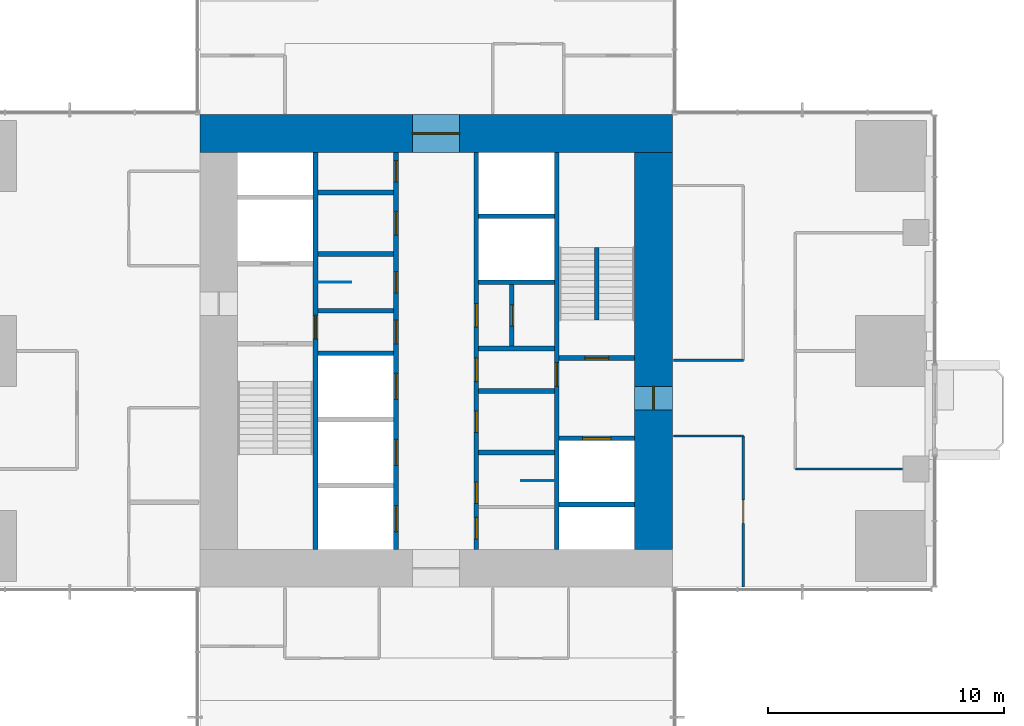
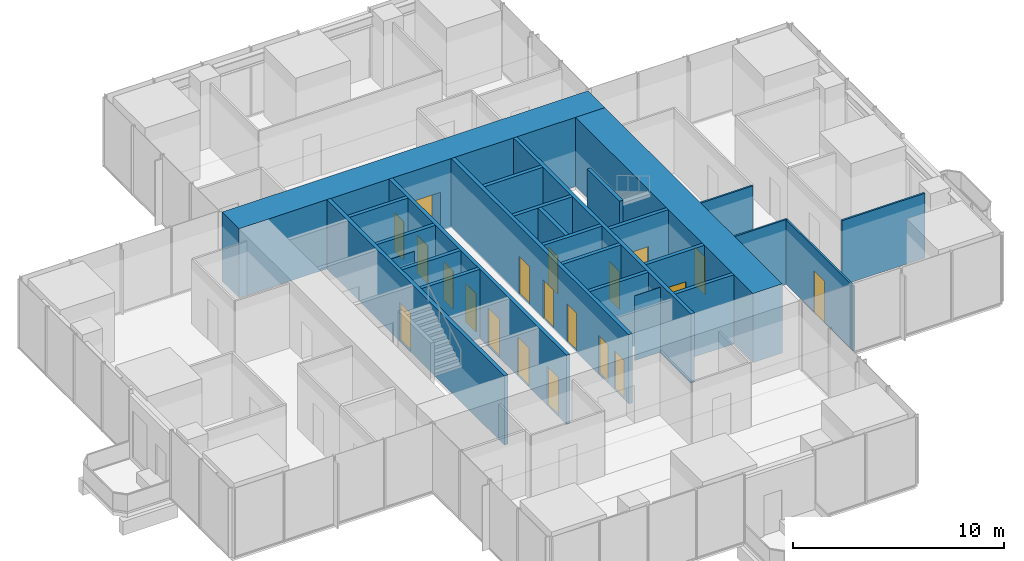
# One storey, part 9 of 13: 26 walls, 20 doors, 20 openings.
"""IFC4 building model written with IfcOpenShell, lengths in metres."""

from ifc_helpers import new_model, si_unit, direction, frame, frame_2d, origin, place, context, subcontext, project, spatial, rectangle, extrude, material, layer, layer_set, type_object, element, fill, save


model = new_model("IFC4")

# Units and contexts
model_context = context("Model", 3, precision=1e-05, world=origin(), true_north=direction((0.0, 1.0)))
body_context = subcontext(model_context, "Body", "Model", "MODEL_VIEW")
ifc_project = project(units=[si_unit("LENGTHUNIT", "METRE"), si_unit("AREAUNIT", "SQUARE_METRE"), si_unit("VOLUMEUNIT", "CUBIC_METRE"), si_unit("PLANEANGLEUNIT", "RADIAN"), si_unit("MASSUNIT", "GRAM", prefix="KILO")], contexts=[model_context])

# Site, building, storey
site_placement = place(None, origin())
site = spatial("IfcSite", under=ifc_project, at=site_placement, CompositionType="ELEMENT")
building_placement = place(site_placement, origin())
building = spatial("IfcBuilding", under=site, at=building_placement, Name="Svetlomir Tower", CompositionType="ELEMENT")
storey_placement = place(building_placement, frame((0.0, 0.0, 136.5)))
storey = spatial("IfcBuildingStorey", under=building, at=storey_placement, Name="L32", CompositionType="ELEMENT", Elevation=136.5)

# Wall, opening, door
ifc_material_1 = material(Name="Concrete C60/75", Category="concrete")
ifc_layer_1 = layer(ifc_material_1, 0.199951171875)
ifc_layer_set_1 = layer_set([ifc_layer_1], Name="Concrete C60/75")
wall_type_1 = type_object("IfcWallType", Name="CORE INNER WALL 200", PredefinedType="SHEAR", material=ifc_layer_set_1)
wall_1_placement = place(storey_placement, frame((15.89990234375, 12.60009765625, -0.050048828125), z_axis=(0.0, 0.0, 1.0), x_axis=(0.0, 1.0, 0.0)))
wall_1 = element("IfcWall", 1, at=wall_1_placement, inside=storey, type_object=wall_type_1, Name="Core inner wall 15.9 L32", PredefinedType="SHEAR", context=body_context, shape_type="SweptSolid", body=[
    extrude(rectangle(XDim=16.7998046875, YDim=0.199951171875, at=frame_2d((8.39990234375, 0.0))), origin(), (0.0, 0.0, 1.0), 4.0),
])
opening_1_placement = place(wall_1_placement, frame((8.89990234375, 0.0, 0.050048828125)))
opening_1 = element("IfcOpeningElement", 2, at=opening_1_placement, cuts=wall_1, Name="Opening DF", PredefinedType="OPENING", context=body_context, shape_type="SweptSolid", body=[
    extrude(rectangle(XDim=1.0, YDim=2.199951171875, at=frame_2d((0.5, 1.10009765625))), frame((0.0, 0.10986328125, 0.0), z_axis=(0.0, -1.0, 0.0), x_axis=(1.0, 0.0, 0.0)), (0.0, 0.0, 1.0), 0.219970703125),
])
ifc_material_2 = material(Name="Steel fire door", Category="steel")
door_type_1 = type_object("IfcDoorType", Name="DOOR DF 1000x2200", OperationType="SINGLE_SWING_LEFT", PredefinedType="DOOR", material=ifc_material_2)
door_1_placement = place(opening_1_placement, origin())
door_1 = element("IfcDoor", 3, at=door_1_placement, inside=storey, type_object=door_type_1, Name="Core corridor west door L32", OperationType="SINGLE_SWING_LEFT", OverallHeight=2.199951171875, OverallWidth=1.0, PredefinedType="DOOR", context=body_context, shape_type="SweptSolid", body=[
    extrude(rectangle(XDim=1.0, YDim=2.199951171875, at=frame_2d((0.5, 1.10009765625))), frame((0.0, 0.02490234375, 0.0), z_axis=(0.0, -1.0, 0.0), x_axis=(1.0, 0.0, 0.0)), (0.0, 0.0, 1.0), 0.050048828125),
])
fill(opening_1, door_1)

# Wall, openings, doors
wall_2_placement = place(storey_placement, frame((19.300048828125, 12.60009765625, -0.050048828125), z_axis=(0.0, 0.0, 1.0), x_axis=(0.0, 1.0, 0.0)))
wall_2 = element("IfcWall", 4, at=wall_2_placement, inside=storey, type_object=wall_type_1, Name="Core inner wall 19.3 L32", PredefinedType="SHEAR", context=body_context, shape_type="SweptSolid", body=[
    extrude(rectangle(XDim=16.7998046875, YDim=0.199951171875, at=frame_2d((8.39990234375, 0.0))), origin(), (0.0, 0.0, 1.0), 4.0),
])
opening_2_placement = place(wall_2_placement, frame((8.699951171875, 0.0, 0.050048828125)))
opening_2 = element("IfcOpeningElement", 5, at=opening_2_placement, cuts=wall_2, Name="Opening DC", PredefinedType="OPENING", context=body_context, shape_type="SweptSolid", body=[
    extrude(rectangle(XDim=1.0, YDim=2.199951171875, at=frame_2d((0.5, 1.10009765625))), frame((0.0, 0.10986328125, 0.0), z_axis=(0.0, -1.0, 0.0), x_axis=(1.0, 0.0, 0.0)), (0.0, 0.0, 1.0), 0.219970703125),
])
opening_3_placement = place(wall_2_placement, frame((10.85009765625, 0.0, 0.050048828125)))
opening_3 = element("IfcOpeningElement", 6, at=opening_3_placement, cuts=wall_2, Name="Opening DW", PredefinedType="OPENING", context=body_context, shape_type="SweptSolid", body=[
    extrude(rectangle(XDim=0.89990234375, YDim=2.199951171875, at=frame_2d((0.449951171875, 1.10009765625))), frame((0.0, 0.10986328125, 0.0), z_axis=(0.0, -1.0, 0.0), x_axis=(1.0, 0.0, 0.0)), (0.0, 0.0, 1.0), 0.219970703125),
])
opening_4_placement = place(wall_2_placement, frame((13.300048828125, 0.0, 0.050048828125)))
opening_4 = element("IfcOpeningElement", 7, at=opening_4_placement, cuts=wall_2, Name="Opening DC", PredefinedType="OPENING", context=body_context, shape_type="SweptSolid", body=[
    extrude(rectangle(XDim=1.0, YDim=2.199951171875, at=frame_2d((0.5, 1.10009765625))), frame((0.0, 0.10986328125, 0.0), z_axis=(0.0, -1.0, 0.0), x_axis=(1.0, 0.0, 0.0)), (0.0, 0.0, 1.0), 0.219970703125),
])
opening_5_placement = place(wall_2_placement, frame((15.550048828125, 0.0, 0.050048828125)))
opening_5 = element("IfcOpeningElement", 8, at=opening_5_placement, cuts=wall_2, Name="Opening DW", PredefinedType="OPENING", context=body_context, shape_type="SweptSolid", body=[
    extrude(rectangle(XDim=0.89990234375, YDim=2.199951171875, at=frame_2d((0.449951171875, 1.10009765625))), frame((0.0, 0.10986328125, 0.0), z_axis=(0.0, -1.0, 0.0), x_axis=(1.0, 0.0, 0.0)), (0.0, 0.0, 1.0), 0.219970703125),
])
opening_6_placement = place(wall_2_placement, frame((0.75, 0.0, 0.050048828125)))
opening_6 = element("IfcOpeningElement", 9, at=opening_6_placement, cuts=wall_2, Name="Opening LD", PredefinedType="OPENING", context=body_context, shape_type="SweptSolid", body=[
    extrude(rectangle(XDim=1.10009765625, YDim=2.199951171875, at=frame_2d((0.550048828125, 1.10009765625))), frame((0.0, 0.10986328125, 0.0), z_axis=(0.0, -1.0, 0.0), x_axis=(1.0, 0.0, 0.0)), (0.0, 0.0, 1.0), 0.219970703125),
])
opening_7_placement = place(wall_2_placement, frame((3.550048828125, 0.0, 0.050048828125)))
opening_7 = element("IfcOpeningElement", 10, at=opening_7_placement, cuts=wall_2, Name="Opening LD", PredefinedType="OPENING", context=body_context, shape_type="SweptSolid", body=[
    extrude(rectangle(XDim=1.10009765625, YDim=2.199951171875, at=frame_2d((0.550048828125, 1.10009765625))), frame((0.0, 0.10986328125, 0.0), z_axis=(0.0, -1.0, 0.0), x_axis=(1.0, 0.0, 0.0)), (0.0, 0.0, 1.0), 0.219970703125),
])
opening_8_placement = place(wall_2_placement, frame((6.35009765625, 0.0, 0.050048828125)))
opening_8 = element("IfcOpeningElement", 11, at=opening_8_placement, cuts=wall_2, Name="Opening LD", PredefinedType="OPENING", context=body_context, shape_type="SweptSolid", body=[
    extrude(rectangle(XDim=1.10009765625, YDim=2.199951171875, at=frame_2d((0.550048828125, 1.10009765625))), frame((0.0, 0.10986328125, 0.0), z_axis=(0.0, -1.0, 0.0), x_axis=(1.0, 0.0, 0.0)), (0.0, 0.0, 1.0), 0.219970703125),
])
ifc_material_3 = material(Name="Timber fire door", Category="wood")
door_type_2 = type_object("IfcDoorType", Name="DOOR DC 1000x2200", OperationType="SINGLE_SWING_LEFT", PredefinedType="DOOR", material=ifc_material_3)
door_2_placement = place(opening_2_placement, origin())
door_2 = element("IfcDoor", 12, at=door_2_placement, inside=storey, type_object=door_type_2, Name="Core corridor west lobby door L32", OperationType="SINGLE_SWING_RIGHT", OverallHeight=2.199951171875, OverallWidth=1.0, PredefinedType="DOOR", context=body_context, shape_type="SweptSolid", body=[
    extrude(rectangle(XDim=1.0, YDim=2.199951171875, at=frame_2d((0.5, 1.10009765625))), frame((0.0, 0.02490234375, 0.0), z_axis=(0.0, -1.0, 0.0), x_axis=(1.0, 0.0, 0.0)), (0.0, 0.0, 1.0), 0.050048828125),
])
fill(opening_2, door_2)
door_3_placement = place(opening_4_placement, origin())
door_3 = element("IfcDoor", 13, at=door_3_placement, inside=storey, type_object=door_type_2, Name="Accessible WC door L32", OperationType="SINGLE_SWING_LEFT", OverallHeight=2.199951171875, OverallWidth=1.0, PredefinedType="DOOR", context=body_context, shape_type="SweptSolid", body=[
    extrude(rectangle(XDim=1.0, YDim=2.199951171875, at=frame_2d((0.5, 1.10009765625))), frame((0.0, 0.02490234375, 0.0), z_axis=(0.0, -1.0, 0.0), x_axis=(1.0, 0.0, 0.0)), (0.0, 0.0, 1.0), 0.050048828125),
])
fill(opening_4, door_3)
ifc_material_4 = material(Name="Timber fire door", Category="wood")
door_type_3 = type_object("IfcDoorType", Name="DOOR DW 900x2200", OperationType="SINGLE_SWING_LEFT", PredefinedType="DOOR", material=ifc_material_4)
door_4_placement = place(opening_3_placement, origin())
door_4 = element("IfcDoor", 14, at=door_4_placement, inside=storey, type_object=door_type_3, Name="Female WC door L32", OperationType="SINGLE_SWING_RIGHT", OverallHeight=2.199951171875, OverallWidth=0.89990234375, PredefinedType="DOOR", context=body_context, shape_type="SweptSolid", body=[
    extrude(rectangle(XDim=0.89990234375, YDim=2.199951171875, at=frame_2d((0.449951171875, 1.10009765625))), frame((0.0, 0.02490234375, 0.0), z_axis=(0.0, -1.0, 0.0), x_axis=(1.0, 0.0, 0.0)), (0.0, 0.0, 1.0), 0.050048828125),
])
fill(opening_3, door_4)
door_5_placement = place(opening_5_placement, origin())
door_5 = element("IfcDoor", 15, at=door_5_placement, inside=storey, type_object=door_type_3, Name="Cleaner's store door L32", OperationType="SINGLE_SWING_RIGHT", OverallHeight=2.199951171875, OverallWidth=0.89990234375, PredefinedType="DOOR", context=body_context, shape_type="SweptSolid", body=[
    extrude(rectangle(XDim=0.89990234375, YDim=2.199951171875, at=frame_2d((0.449951171875, 1.10009765625))), frame((0.0, 0.02490234375, 0.0), z_axis=(0.0, -1.0, 0.0), x_axis=(1.0, 0.0, 0.0)), (0.0, 0.0, 1.0), 0.050048828125),
])
fill(opening_5, door_5)
ifc_material_5 = material(Name="Stainless steel landing door", Category="steel")
door_type_4 = type_object("IfcDoorType", Name="LIFT LANDING DOOR LD 1100x2200", OperationType="DOUBLE_DOOR_SLIDING", PredefinedType="DOOR", material=ifc_material_5)
door_6_placement = place(opening_6_placement, origin())
door_6 = element("IfcDoor", 16, at=door_6_placement, inside=storey, type_object=door_type_4, Name="Landing door lift LB1 L32", OperationType="DOUBLE_DOOR_SLIDING", OverallHeight=2.199951171875, OverallWidth=1.10009765625, PredefinedType="DOOR", context=body_context, shape_type="SweptSolid", body=[
    extrude(rectangle(XDim=1.10009765625, YDim=2.199951171875, at=frame_2d((0.550048828125, 1.10009765625))), frame((0.0, 0.02490234375, 0.0), z_axis=(0.0, -1.0, 0.0), x_axis=(1.0, 0.0, 0.0)), (0.0, 0.0, 1.0), 0.050048828125),
])
fill(opening_6, door_6)
door_7_placement = place(opening_7_placement, origin())
door_7 = element("IfcDoor", 17, at=door_7_placement, inside=storey, type_object=door_type_4, Name="Landing door lift LB2 L32", OperationType="DOUBLE_DOOR_SLIDING", OverallHeight=2.199951171875, OverallWidth=1.10009765625, PredefinedType="DOOR", context=body_context, shape_type="SweptSolid", body=[
    extrude(rectangle(XDim=1.10009765625, YDim=2.199951171875, at=frame_2d((0.550048828125, 1.10009765625))), frame((0.0, 0.02490234375, 0.0), z_axis=(0.0, -1.0, 0.0), x_axis=(1.0, 0.0, 0.0)), (0.0, 0.0, 1.0), 0.050048828125),
])
fill(opening_7, door_7)
door_8_placement = place(opening_8_placement, origin())
door_8 = element("IfcDoor", 18, at=door_8_placement, inside=storey, type_object=door_type_4, Name="Landing door lift LB3 L32", OperationType="DOUBLE_DOOR_SLIDING", OverallHeight=2.199951171875, OverallWidth=1.10009765625, PredefinedType="DOOR", context=body_context, shape_type="SweptSolid", body=[
    extrude(rectangle(XDim=1.10009765625, YDim=2.199951171875, at=frame_2d((0.550048828125, 1.10009765625))), frame((0.0, 0.02490234375, 0.0), z_axis=(0.0, -1.0, 0.0), x_axis=(1.0, 0.0, 0.0)), (0.0, 0.0, 1.0), 0.050048828125),
])
fill(opening_8, door_8)

wall_3_placement = place(storey_placement, frame((22.699951171875, 12.60009765625, -0.050048828125), z_axis=(0.0, 0.0, 1.0), x_axis=(0.0, 1.0, 0.0)))
wall_3 = element("IfcWall", 19, at=wall_3_placement, inside=storey, type_object=wall_type_1, Name="Core inner wall 22.7 L32", PredefinedType="SHEAR", context=body_context, shape_type="SweptSolid", body=[
    extrude(rectangle(XDim=16.7998046875, YDim=0.199951171875, at=frame_2d((8.39990234375, 0.0))), origin(), (0.0, 0.0, 1.0), 4.0),
])
opening_9_placement = place(wall_3_placement, frame((0.449951171875, 0.0, 0.050048828125)))
opening_9 = element("IfcOpeningElement", 20, at=opening_9_placement, cuts=wall_3, Name="Opening DW", PredefinedType="OPENING", context=body_context, shape_type="SweptSolid", body=[
    extrude(rectangle(XDim=0.89990234375, YDim=2.199951171875, at=frame_2d((0.449951171875, 1.10009765625))), frame((0.0, 0.10986328125, 0.0), z_axis=(0.0, -1.0, 0.0), x_axis=(1.0, 0.0, 0.0)), (0.0, 0.0, 1.0), 0.219970703125),
])
opening_10_placement = place(wall_3_placement, frame((7.10009765625, 0.0, 0.050048828125)))
opening_10 = element("IfcOpeningElement", 21, at=opening_10_placement, cuts=wall_3, Name="Opening DC", PredefinedType="OPENING", context=body_context, shape_type="SweptSolid", body=[
    extrude(rectangle(XDim=1.0, YDim=2.199951171875, at=frame_2d((0.5, 1.10009765625))), frame((0.0, 0.10986328125, 0.0), z_axis=(0.0, -1.0, 0.0), x_axis=(1.0, 0.0, 0.0)), (0.0, 0.0, 1.0), 0.219970703125),
])
opening_11_placement = place(wall_3_placement, frame((1.949951171875, 0.0, 0.050048828125)))
opening_11 = element("IfcOpeningElement", 22, at=opening_11_placement, cuts=wall_3, Name="Opening DW", PredefinedType="OPENING", context=body_context, shape_type="SweptSolid", body=[
    extrude(rectangle(XDim=0.89990234375, YDim=2.199951171875, at=frame_2d((0.449951171875, 1.10009765625))), frame((0.0, 0.10986328125, 0.0), z_axis=(0.0, -1.0, 0.0), x_axis=(1.0, 0.0, 0.0)), (0.0, 0.0, 1.0), 0.219970703125),
])
opening_12_placement = place(wall_3_placement, frame((4.949951171875, 0.0, 0.050048828125)))
opening_12 = element("IfcOpeningElement", 23, at=opening_12_placement, cuts=wall_3, Name="Opening DW", PredefinedType="OPENING", context=body_context, shape_type="SweptSolid", body=[
    extrude(rectangle(XDim=0.89990234375, YDim=2.199951171875, at=frame_2d((0.449951171875, 1.10009765625))), frame((0.0, 0.10986328125, 0.0), z_axis=(0.0, -1.0, 0.0), x_axis=(1.0, 0.0, 0.0)), (0.0, 0.0, 1.0), 0.219970703125),
])
opening_13_placement = place(wall_3_placement, frame((9.39990234375, 0.0, 0.050048828125)))
opening_13 = element("IfcOpeningElement", 24, at=opening_13_placement, cuts=wall_3, Name="Opening DC", PredefinedType="OPENING", context=body_context, shape_type="SweptSolid", body=[
    extrude(rectangle(XDim=1.0, YDim=2.199951171875, at=frame_2d((0.5, 1.10009765625))), frame((0.0, 0.10986328125, 0.0), z_axis=(0.0, -1.0, 0.0), x_axis=(1.0, 0.0, 0.0)), (0.0, 0.0, 1.0), 0.219970703125),
])
door_9_placement = place(opening_10_placement, origin())
door_9 = element("IfcDoor", 25, at=door_9_placement, inside=storey, type_object=door_type_2, Name="Core corridor east lobby door L32", OperationType="SINGLE_SWING_LEFT", OverallHeight=2.199951171875, OverallWidth=1.0, PredefinedType="DOOR", context=body_context, shape_type="SweptSolid", body=[
    extrude(rectangle(XDim=1.0, YDim=2.199951171875, at=frame_2d((0.5, 1.10009765625))), frame((0.0, 0.02490234375, 0.0), z_axis=(0.0, -1.0, 0.0), x_axis=(1.0, 0.0, 0.0)), (0.0, 0.0, 1.0), 0.050048828125),
])
fill(opening_10, door_9)
door_10_placement = place(opening_13_placement, origin())
door_10 = element("IfcDoor", 26, at=door_10_placement, inside=storey, type_object=door_type_2, Name="Converted shaft BANK-E1 room door L32", OperationType="SINGLE_SWING_LEFT", OverallHeight=2.199951171875, OverallWidth=1.0, PredefinedType="DOOR", context=body_context, shape_type="SweptSolid", body=[
    extrude(rectangle(XDim=1.0, YDim=2.199951171875, at=frame_2d((0.5, 1.10009765625))), frame((0.0, 0.02490234375, 0.0), z_axis=(0.0, -1.0, 0.0), x_axis=(1.0, 0.0, 0.0)), (0.0, 0.0, 1.0), 0.050048828125),
])
fill(opening_13, door_10)
door_11_placement = place(opening_9_placement, origin())
door_11 = element("IfcDoor", 27, at=door_11_placement, inside=storey, type_object=door_type_3, Name="Floor store door L32", OperationType="SINGLE_SWING_LEFT", OverallHeight=2.199951171875, OverallWidth=0.89990234375, PredefinedType="DOOR", context=body_context, shape_type="SweptSolid", body=[
    extrude(rectangle(XDim=0.89990234375, YDim=2.199951171875, at=frame_2d((0.449951171875, 1.10009765625))), frame((0.0, 0.02490234375, 0.0), z_axis=(0.0, -1.0, 0.0), x_axis=(1.0, 0.0, 0.0)), (0.0, 0.0, 1.0), 0.050048828125),
])
fill(opening_9, door_11)
door_12_placement = place(opening_11_placement, origin())
door_12 = element("IfcDoor", 28, at=door_12_placement, inside=storey, type_object=door_type_3, Name="Male WC door L32", OperationType="SINGLE_SWING_LEFT", OverallHeight=2.199951171875, OverallWidth=0.89990234375, PredefinedType="DOOR", context=body_context, shape_type="SweptSolid", body=[
    extrude(rectangle(XDim=0.89990234375, YDim=2.199951171875, at=frame_2d((0.449951171875, 1.10009765625))), frame((0.0, 0.02490234375, 0.0), z_axis=(0.0, -1.0, 0.0), x_axis=(1.0, 0.0, 0.0)), (0.0, 0.0, 1.0), 0.050048828125),
])
fill(opening_11, door_12)
door_13_placement = place(opening_12_placement, origin())
door_13 = element("IfcDoor", 29, at=door_13_placement, inside=storey, type_object=door_type_3, Name="Comms room door L32", OperationType="SINGLE_SWING_RIGHT", OverallHeight=2.199951171875, OverallWidth=0.89990234375, PredefinedType="DOOR", context=body_context, shape_type="SweptSolid", body=[
    extrude(rectangle(XDim=0.89990234375, YDim=2.199951171875, at=frame_2d((0.449951171875, 1.10009765625))), frame((0.0, 0.02490234375, 0.0), z_axis=(0.0, -1.0, 0.0), x_axis=(1.0, 0.0, 0.0)), (0.0, 0.0, 1.0), 0.050048828125),
])
fill(opening_12, door_13)

# Wall, opening, door
wall_4_placement = place(storey_placement, frame((26.10009765625, 12.60009765625, -0.050048828125), z_axis=(0.0, 0.0, 1.0), x_axis=(0.0, 1.0, 0.0)))
wall_4 = element("IfcWall", 30, at=wall_4_placement, inside=storey, type_object=wall_type_1, Name="Core inner wall 26.1 L32", PredefinedType="SHEAR", context=body_context, shape_type="SweptSolid", body=[
    extrude(rectangle(XDim=16.7998046875, YDim=0.199951171875, at=frame_2d((8.39990234375, 0.0))), origin(), (0.0, 0.0, 1.0), 4.0),
])
opening_14_placement = place(wall_4_placement, frame((6.89990234375, 0.0, 0.050048828125)))
opening_14 = element("IfcOpeningElement", 31, at=opening_14_placement, cuts=wall_4, Name="Opening DF", PredefinedType="OPENING", context=body_context, shape_type="SweptSolid", body=[
    extrude(rectangle(XDim=1.0, YDim=2.199951171875, at=frame_2d((0.5, 1.10009765625))), frame((0.0, 0.10986328125, 0.0), z_axis=(0.0, -1.0, 0.0), x_axis=(1.0, 0.0, 0.0)), (0.0, 0.0, 1.0), 0.219970703125),
])
door_14_placement = place(opening_14_placement, origin())
door_14 = element("IfcDoor", 32, at=door_14_placement, inside=storey, type_object=door_type_1, Name="Core corridor east door L32", OperationType="SINGLE_SWING_LEFT", OverallHeight=2.199951171875, OverallWidth=1.0, PredefinedType="DOOR", context=body_context, shape_type="SweptSolid", body=[
    extrude(rectangle(XDim=1.0, YDim=2.199951171875, at=frame_2d((0.5, 1.10009765625))), frame((0.0, 0.02490234375, 0.0), z_axis=(0.0, -1.0, 0.0), x_axis=(1.0, 0.0, 0.0)), (0.0, 0.0, 1.0), 0.050048828125),
])
fill(opening_14, door_14)

# Walls
for number, where, z_axis, x_axis, name in (
    (33, (16.0, 20.89990234375, -0.050048828125), (0.0, 0.0, 1.0), (1.0, 0.0, 0.0), "Core inner wall 16-19.2/20.9 L32"),
    (34, (16.0, 22.699951171875, -0.050048828125), (0.0, 0.0, 1.0), (1.0, 0.0, 0.0), "Core inner wall 16-19.2/22.7 L32"),
    (35, (16.0, 25.10009765625, -0.050048828125), (0.0, 0.0, 1.0), (1.0, 0.0, 0.0), "Core inner wall 16-19.2/25.1 L32"),
    (36, (16.0, 27.699951171875, -0.050048828125), (0.0, 0.0, 1.0), (1.0, 0.0, 0.0), "Core inner wall 16-19.2/27.7 L32"),
    (37, (22.800048828125, 16.699951171875, -0.050048828125), (0.0, 0.0, 1.0), (1.0, 0.0, 0.0), "Core inner wall 22.8-26/16.7 L32"),
    (38, (22.800048828125, 19.300048828125, -0.050048828125), (0.0, 0.0, 1.0), (1.0, 0.0, 0.0), "Core inner wall 22.8-26/19.3 L32"),
    (39, (22.800048828125, 21.10009765625, -0.050048828125), (0.0, 0.0, 1.0), (1.0, 0.0, 0.0), "Core inner wall 22.8-26/21.1 L32"),
    (40, (22.800048828125, 23.89990234375, -0.050048828125), (0.0, 0.0, 1.0), (1.0, 0.0, 0.0), "Core inner wall 22.8-26/23.9 L32"),
    (41, (22.800048828125, 26.699951171875, -0.050048828125), (0.0, 0.0, 1.0), (1.0, 0.0, 0.0), "Core inner wall 22.8-26/26.7 L32"),
    (42, (26.199951171875, 14.5, -0.050048828125), (0.0, 0.0, 1.0), (1.0, 0.0, 0.0), "Core inner wall 26.2-29.4/14.5 L32"),
):
    element("IfcWall", number, at=place(storey_placement, frame(where, z_axis=z_axis, x_axis=x_axis)), inside=storey, type_object=wall_type_1, Name=name, PredefinedType="SHEAR", context=body_context, shape_type="SweptSolid", body=[
        extrude(rectangle(XDim=3.199951171875, YDim=0.199951171875, at=frame_2d((1.60009765625, 0.0))), origin(), (0.0, 0.0, 1.0), 4.0),
    ])

# Wall, opening, door
wall_5_placement = place(storey_placement, frame((26.199951171875, 17.300048828125, -0.050048828125), z_axis=(0.0, 0.0, 1.0), x_axis=(1.0, 0.0, 0.0)))
wall_5 = element("IfcWall", 43, at=wall_5_placement, inside=storey, type_object=wall_type_1, Name="Core inner wall 26.2-29.4/17.3 L32", PredefinedType="SHEAR", context=body_context, shape_type="SweptSolid", body=[
    extrude(rectangle(XDim=3.199951171875, YDim=0.199951171875, at=frame_2d((1.60009765625, 0.0))), origin(), (0.0, 0.0, 1.0), 4.0),
])
opening_15_placement = place(wall_5_placement, frame((1.0, 0.0, 0.050048828125)))
opening_15 = element("IfcOpeningElement", 44, at=opening_15_placement, cuts=wall_5, Name="Opening LD3", PredefinedType="OPENING", context=body_context, shape_type="SweptSolid", body=[
    extrude(rectangle(XDim=1.199951171875, YDim=2.199951171875, at=frame_2d((0.60009765625, 1.10009765625))), frame((0.0, 0.10986328125, 0.0), z_axis=(0.0, -1.0, 0.0), x_axis=(1.0, 0.0, 0.0)), (0.0, 0.0, 1.0), 0.219970703125),
])
ifc_material_6 = material(Name="Stainless steel fire-rated landing door", Category="steel")
door_type_5 = type_object("IfcDoorType", Name="FIREFIGHTING LIFT LANDING DOOR LD3 1200x2200", OperationType="DOUBLE_DOOR_SLIDING", PredefinedType="DOOR", material=ifc_material_6)
door_15_placement = place(opening_15_placement, origin())
door_15 = element("IfcDoor", 45, at=door_15_placement, inside=storey, type_object=door_type_5, Name="Landing door lift FL2 L32", OperationType="DOUBLE_DOOR_SLIDING", OverallHeight=2.199951171875, OverallWidth=1.199951171875, PredefinedType="DOOR", context=body_context, shape_type="SweptSolid", body=[
    extrude(rectangle(XDim=1.199951171875, YDim=2.199951171875, at=frame_2d((0.60009765625, 1.10009765625))), frame((0.0, 0.02490234375, 0.0), z_axis=(0.0, -1.0, 0.0), x_axis=(1.0, 0.0, 0.0)), (0.0, 0.0, 1.0), 0.050048828125),
])
fill(opening_15, door_15)

wall_6_placement = place(storey_placement, frame((26.199951171875, 20.699951171875, -0.050048828125), z_axis=(0.0, 0.0, 1.0), x_axis=(1.0, 0.0, 0.0)))
wall_6 = element("IfcWall", 46, at=wall_6_placement, inside=storey, type_object=wall_type_1, Name="Core inner wall 26.2-29.4/20.7 L32", PredefinedType="SHEAR", context=body_context, shape_type="SweptSolid", body=[
    extrude(rectangle(XDim=3.199951171875, YDim=0.199951171875, at=frame_2d((1.60009765625, 0.0))), origin(), (0.0, 0.0, 1.0), 4.0),
])
opening_16_placement = place(wall_6_placement, frame((1.10009765625, 0.0, 0.050048828125)))
opening_16 = element("IfcOpeningElement", 47, at=opening_16_placement, cuts=wall_6, Name="Opening DF", PredefinedType="OPENING", context=body_context, shape_type="SweptSolid", body=[
    extrude(rectangle(XDim=1.0, YDim=2.199951171875, at=frame_2d((0.5, 1.10009765625))), frame((0.0, 0.10986328125, 0.0), z_axis=(0.0, -1.0, 0.0), x_axis=(1.0, 0.0, 0.0)), (0.0, 0.0, 1.0), 0.219970703125),
])
door_16_placement = place(opening_16_placement, origin())
door_16 = element("IfcDoor", 48, at=door_16_placement, inside=storey, type_object=door_type_1, Name="Stair S2 door L32", OperationType="SINGLE_SWING_LEFT", OverallHeight=2.199951171875, OverallWidth=1.0, PredefinedType="DOOR", context=body_context, shape_type="SweptSolid", body=[
    extrude(rectangle(XDim=1.0, YDim=2.199951171875, at=frame_2d((0.5, 1.10009765625))), frame((0.0, 0.02490234375, 0.0), z_axis=(0.0, -1.0, 0.0), x_axis=(1.0, 0.0, 0.0)), (0.0, 0.0, 1.0), 0.050048828125),
])
fill(opening_16, door_16)

wall_7_placement = place(storey_placement, frame((24.199951171875, 21.199951171875, -0.050048828125), z_axis=(0.0, 0.0, 1.0), x_axis=(0.0, 1.0, 0.0)))
wall_7 = element("IfcWall", 49, at=wall_7_placement, inside=storey, type_object=wall_type_1, Name="Core inner wall 24.2/21.2-23.8 L32", PredefinedType="SHEAR", context=body_context, shape_type="SweptSolid", body=[
    extrude(rectangle(XDim=2.60009765625, YDim=0.199951171875, at=frame_2d((1.300048828125, 0.0))), origin(), (0.0, 0.0, 1.0), 4.0),
])
opening_17_placement = place(wall_7_placement, frame((0.85009765625, 0.0, 0.050048828125)))
opening_17 = element("IfcOpeningElement", 50, at=opening_17_placement, cuts=wall_7, Name="Opening DW", PredefinedType="OPENING", context=body_context, shape_type="SweptSolid", body=[
    extrude(rectangle(XDim=0.89990234375, YDim=2.199951171875, at=frame_2d((0.449951171875, 1.10009765625))), frame((0.0, 0.10986328125, 0.0), z_axis=(0.0, -1.0, 0.0), x_axis=(1.0, 0.0, 0.0)), (0.0, 0.0, 1.0), 0.219970703125),
])
door_17_placement = place(opening_17_placement, origin())
door_17 = element("IfcDoor", 51, at=door_17_placement, inside=storey, type_object=door_type_3, Name="Converted shaft BANK-E1 back room door L32", OperationType="SINGLE_SWING_RIGHT", OverallHeight=2.199951171875, OverallWidth=0.89990234375, PredefinedType="DOOR", context=body_context, shape_type="SweptSolid", body=[
    extrude(rectangle(XDim=0.89990234375, YDim=2.199951171875, at=frame_2d((0.449951171875, 1.10009765625))), frame((0.0, 0.02490234375, 0.0), z_axis=(0.0, -1.0, 0.0), x_axis=(1.0, 0.0, 0.0)), (0.0, 0.0, 1.0), 0.050048828125),
])
fill(opening_17, door_17)

ifc_material_7 = material(Name="Concrete C60/75", Category="concrete")
ifc_layer_2 = layer(ifc_material_7, 1.60009765625)
ifc_layer_set_2 = layer_set([ifc_layer_2], Name="Concrete C60/75")
wall_type_2 = type_object("IfcWallType", Name="CORE WALL 1600", PredefinedType="SHEAR", material=ifc_layer_set_2)
wall_8_placement = place(storey_placement, frame((11.0, 30.199951171875, -0.050048828125), z_axis=(0.0, 0.0, 1.0), x_axis=(1.0, 0.0, 0.0)))
wall_8 = element("IfcWall", 52, at=wall_8_placement, inside=storey, type_object=wall_type_2, Name="Core wall north L32", PredefinedType="SHEAR", context=body_context, shape_type="SweptSolid", body=[
    extrude(rectangle(XDim=20.0, YDim=1.60009765625, at=frame_2d((10.0, 0.0))), origin(), (0.0, 0.0, 1.0), 4.0),
])
opening_18_placement = place(wall_8_placement, frame((9.0, 0.0, 0.050048828125)))
opening_18 = element("IfcOpeningElement", 53, at=opening_18_placement, cuts=wall_8, Name="Opening DL", PredefinedType="OPENING", context=body_context, shape_type="SweptSolid", body=[
    extrude(rectangle(XDim=2.0, YDim=2.199951171875, at=frame_2d((1.0, 1.10009765625))), frame((0.0, 0.81005859375, 0.0), z_axis=(0.0, -1.0, 0.0), x_axis=(1.0, 0.0, 0.0)), (0.0, 0.0, 1.0), 1.6201171875),
])
ifc_material_8 = material(Name="Steel fire door", Category="steel")
door_type_6 = type_object("IfcDoorType", Name="DOOR DL 2000x2200", OperationType="DOUBLE_DOOR_SINGLE_SWING", PredefinedType="DOOR", material=ifc_material_8)
door_18_placement = place(opening_18_placement, origin())
door_18 = element("IfcDoor", 54, at=door_18_placement, inside=storey, type_object=door_type_6, Name="Lift lobby north door L32", OperationType="DOUBLE_DOOR_SINGLE_SWING", OverallHeight=2.199951171875, OverallWidth=2.0, PredefinedType="DOOR", context=body_context, shape_type="SweptSolid", body=[
    extrude(rectangle(XDim=2.0, YDim=2.199951171875, at=frame_2d((1.0, 1.10009765625))), frame((0.0, 0.02490234375, 0.0), z_axis=(0.0, -1.0, 0.0), x_axis=(1.0, 0.0, 0.0)), (0.0, 0.0, 1.0), 0.050048828125),
])
fill(opening_18, door_18)

wall_9_placement = place(storey_placement, frame((30.199951171875, 12.60009765625, -0.050048828125), z_axis=(0.0, 0.0, 1.0), x_axis=(0.0, 1.0, 0.0)))
wall_9 = element("IfcWall", 55, at=wall_9_placement, inside=storey, type_object=wall_type_2, Name="Core wall east L32", PredefinedType="SHEAR", context=body_context, shape_type="SweptSolid", body=[
    extrude(rectangle(XDim=16.7998046875, YDim=1.60009765625, at=frame_2d((8.39990234375, 0.0))), origin(), (0.0, 0.0, 1.0), 4.0),
])
opening_19_placement = place(wall_9_placement, frame((5.89990234375, 0.0, 0.050048828125)))
opening_19 = element("IfcOpeningElement", 56, at=opening_19_placement, cuts=wall_9, Name="Opening DF", PredefinedType="OPENING", context=body_context, shape_type="SweptSolid", body=[
    extrude(rectangle(XDim=1.0, YDim=2.199951171875, at=frame_2d((0.5, 1.10009765625))), frame((0.0, 0.81005859375, 0.0), z_axis=(0.0, -1.0, 0.0), x_axis=(1.0, 0.0, 0.0)), (0.0, 0.0, 1.0), 1.6201171875),
])
door_19_placement = place(opening_19_placement, origin())
door_19 = element("IfcDoor", 57, at=door_19_placement, inside=storey, type_object=door_type_1, Name="Firefighting lobby east door L32", OperationType="SINGLE_SWING_LEFT", OverallHeight=2.199951171875, OverallWidth=1.0, PredefinedType="DOOR", context=body_context, shape_type="SweptSolid", body=[
    extrude(rectangle(XDim=1.0, YDim=2.199951171875, at=frame_2d((0.5, 1.10009765625))), frame((0.0, 0.02490234375, 0.0), z_axis=(0.0, -1.0, 0.0), x_axis=(1.0, 0.0, 0.0)), (0.0, 0.0, 1.0), 0.050048828125),
])
fill(opening_19, door_19)

# Walls
ifc_material_9 = material(Name="Framed laminated glass partition", Category="glass")
ifc_layer_3 = layer(ifc_material_9, 0.10009765625)
ifc_layer_set_3 = layer_set([ifc_layer_3], Name="Framed laminated glass partition")
wall_type_3 = type_object("IfcWallType", Name="GLAZED PARTITION 100", PredefinedType="PARTITIONING", material=ifc_layer_set_3)
for number, where, z_axis, x_axis, name in (
    (58, (31.050048828125, 17.39990234375, 0.0), (0.0, 0.0, 1.0), (1.0, 0.0, 0.0), "Glazed partition L32"),
    (59, (31.050048828125, 20.60009765625, 0.0), (0.0, 0.0, 1.0), (1.0, 0.0, 0.0), "Glazed partition L32"),
):
    element("IfcWall", number, at=place(storey_placement, frame(where, z_axis=z_axis, x_axis=x_axis)), inside=storey, type_object=wall_type_3, Name=name, PredefinedType="PARTITIONING", context=body_context, shape_type="SweptSolid", body=[
        extrude(rectangle(XDim=2.949951171875, YDim=0.10009765625, at=frame_2d((1.47509765625, 0.0))), origin(), (0.0, 0.0, 1.0), 3.75),
    ])

# Wall, opening, door
wall_10_placement = place(storey_placement, frame((34.0, 11.0, 0.0), z_axis=(0.0, 0.0, 1.0), x_axis=(0.0, 1.0, 0.0)))
wall_10 = element("IfcWall", 60, at=wall_10_placement, inside=storey, type_object=wall_type_3, Name="Glazed partition L32", PredefinedType="PARTITIONING", context=body_context, shape_type="SweptSolid", body=[
    extrude(rectangle(XDim=6.39990234375, YDim=0.10009765625, at=frame_2d((3.199951171875, 0.0))), origin(), (0.0, 0.0, 1.0), 3.75),
])
opening_20_placement = place(wall_10_placement, frame((2.699951171875, 0.0, 0.0)))
opening_20 = element("IfcOpeningElement", 61, at=opening_20_placement, cuts=wall_10, Name="Opening DG", PredefinedType="OPENING", context=body_context, shape_type="SweptSolid", body=[
    extrude(rectangle(XDim=1.0, YDim=2.39990234375, at=frame_2d((0.5, 1.199951171875))), frame((0.0, 0.06005859375, 0.0), z_axis=(0.0, -1.0, 0.0), x_axis=(1.0, 0.0, 0.0)), (0.0, 0.0, 1.0), 0.1201171875),
])
ifc_material_10 = material(Name="Framed laminated glass door", Category="glass")
door_type_7 = type_object("IfcDoorType", Name="GLAZED DOOR DG 1000x2400", OperationType="SINGLE_SWING_LEFT", PredefinedType="DOOR", material=ifc_material_10)
door_20_placement = place(opening_20_placement, origin())
door_20 = element("IfcDoor", 62, at=door_20_placement, inside=storey, type_object=door_type_7, Name="Drawing review room, 12 seats door L32", OperationType="SINGLE_SWING_RIGHT", OverallHeight=2.39990234375, OverallWidth=1.0, PredefinedType="DOOR", context=body_context, shape_type="SweptSolid", body=[
    extrude(rectangle(XDim=1.0, YDim=2.39990234375, at=frame_2d((0.5, 1.199951171875))), frame((0.0, 0.02490234375, 0.0), z_axis=(0.0, -1.0, 0.0), x_axis=(1.0, 0.0, 0.0)), (0.0, 0.0, 1.0), 0.050048828125),
])
fill(opening_20, door_20)

# Walls
wall_11_placement = place(storey_placement, frame((36.199951171875, 16.0, 0.0), z_axis=(0.0, 0.0, 1.0), x_axis=(1.0, 0.0, 0.0)))
element("IfcWall", 63, at=wall_11_placement, inside=storey, type_object=wall_type_3, Name="Glazed partition L32", PredefinedType="PARTITIONING", context=body_context, shape_type="SweptSolid", body=[
    extrude(rectangle(XDim=4.5400390625, YDim=0.10009765625, at=frame_2d((2.27001953125, 0.0))), origin(), (0.0, 0.0, 1.0), 3.75),
])
ifc_material_11 = material(Name="Concrete C60/75", Category="concrete")
ifc_layer_4 = layer(ifc_material_11, 0.199951171875)
ifc_layer_set_4 = layer_set([ifc_layer_4], Name="Concrete C60/75")
wall_type_4 = type_object("IfcWallType", Name="STAIR SPINE WALL 200", PredefinedType="PARTITIONING", material=ifc_layer_set_4)
wall_12_placement = place(storey_placement, frame((27.800048828125, 22.300048828125, 0.0), z_axis=(0.0, 0.0, 1.0), x_axis=(0.0, 1.0, 0.0)))
element("IfcWall", 64, at=wall_12_placement, inside=storey, type_object=wall_type_4, Name="Stair S2 spine wall L32", PredefinedType="PARTITIONING", context=body_context, shape_type="SweptSolid", body=[
    extrude(rectangle(XDim=3.079833984375, YDim=0.199951171875, at=frame_2d((1.5400390625, 0.0))), origin(), (0.0, 0.0, 1.0), 4.0),
])
ifc_material_12 = material(Name="Compact laminate panel", Category="plastic")
ifc_layer_5 = layer(ifc_material_12, 0.030029296875)
ifc_layer_set_5 = layer_set([ifc_layer_5], Name="Compact laminate panel")
wall_type_5 = type_object("IfcWallType", Name="WC CUBICLE PARTITION 30", PredefinedType="PARTITIONING", material=ifc_layer_set_5)
for number, where, z_axis, x_axis, name in (
    (65, (24.60009765625, 15.5, 0.0), (0.0, 0.0, 1.0), (1.0, 0.0, 0.0), "WC cubicle partition L32"),
    (66, (16.0, 23.89990234375, 0.0), (0.0, 0.0, 1.0), (1.0, 0.0, 0.0), "WC cubicle partition L32"),
):
    element("IfcWall", number, at=place(storey_placement, frame(where, z_axis=z_axis, x_axis=x_axis)), inside=storey, type_object=wall_type_5, Name=name, PredefinedType="PARTITIONING", context=body_context, shape_type="SweptSolid", body=[
        extrude(rectangle(XDim=1.39990234375, YDim=0.030029296875, at=frame_2d((0.699951171875, 0.0))), origin(), (0.0, 0.0, 1.0), 3.75),
    ])

save(model, "model.ifc")
